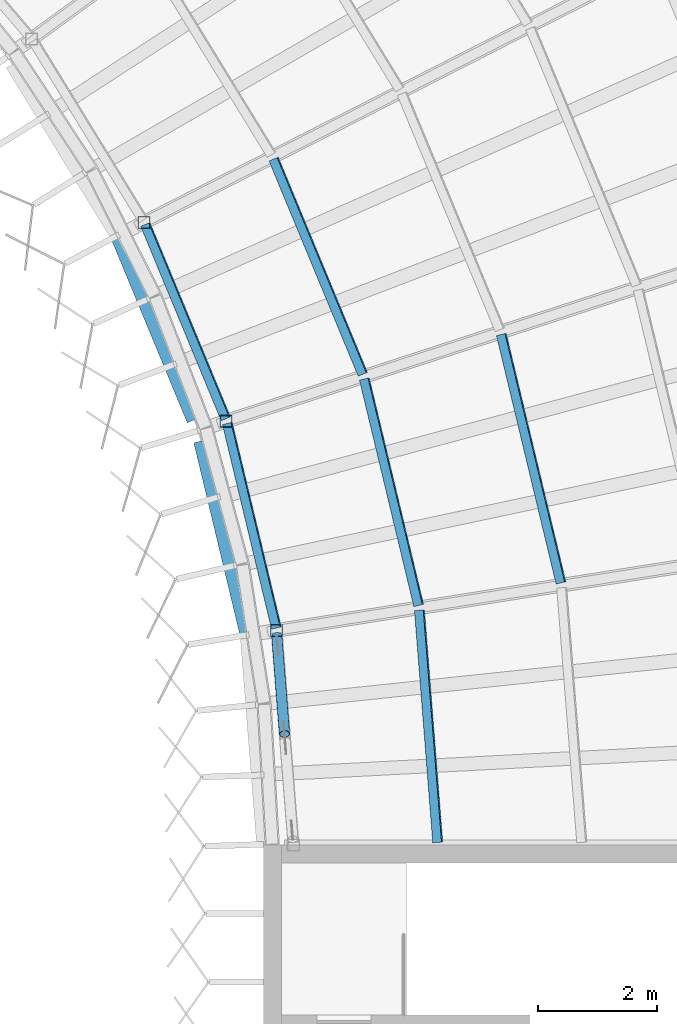
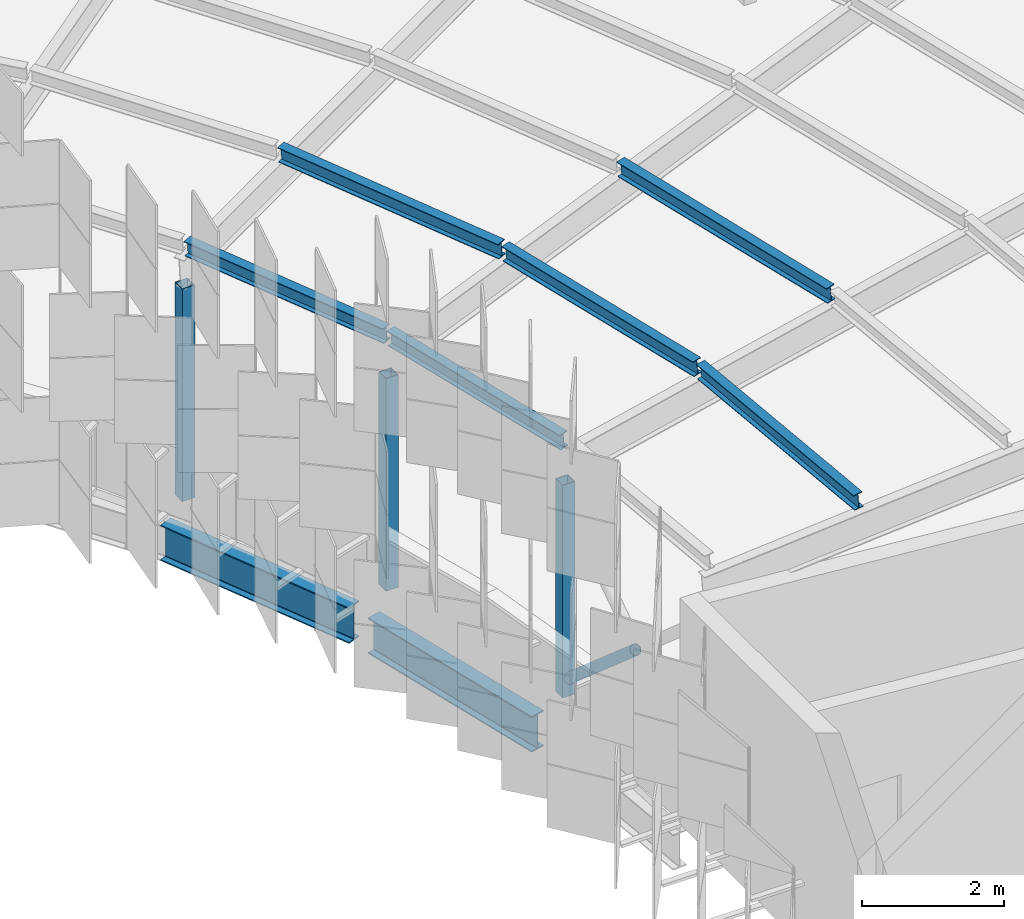
# One storey, part 78 of 483: 10 members, 2 beams.
"""IFC4 building model written with IfcOpenShell, lengths in metres."""

from ifc_helpers import new_model, si_unit, direction, frame, origin, origin_2d, place, context, subcontext, project, spatial, hollow_rectangle, hollow_circle, i_section, extrude, material, material_profile, profile_set, type_object, element, save


model = new_model("IFC4")

# Units and contexts
model_context = context("Model", 3, precision=1e-05, world=origin(), true_north=direction((0.0, 1.0)))
body_context = subcontext(model_context, "Body", "Model", "MODEL_VIEW")
ifc_project = project(units=[si_unit("LENGTHUNIT", "METRE"), si_unit("AREAUNIT", "SQUARE_METRE"), si_unit("VOLUMEUNIT", "CUBIC_METRE"), si_unit("PLANEANGLEUNIT", "RADIAN"), si_unit("MASSUNIT", "GRAM", prefix="KILO")], contexts=[model_context])

# Site, building, storey
site_placement = place(None, origin())
site = spatial("IfcSite", under=ifc_project, at=site_placement, CompositionType="ELEMENT")
building_placement = place(site_placement, origin())
building = spatial("IfcBuilding", under=site, at=building_placement, Name="Parallax Yard Mobility Hub", CompositionType="ELEMENT")
storey_placement = place(building_placement, frame((0.0, 0.0, 13.199951171875)))
storey = spatial("IfcBuildingStorey", under=building, at=storey_placement, Name="L04", CompositionType="ELEMENT", Elevation=13.199951171875)

# Members
ifc_material_1 = material(Name="Steel ASTM A500 Gr C", Category="steel")
ifc_material_profile_1 = material_profile(ifc_material_1, hollow_circle(Radius=0.0888671875, WallThickness=0.0078125, at=origin_2d()), Name="HSS177.8x7.9")
ifc_profile_set_1 = profile_set([ifc_material_profile_1], Name="Steel ASTM A500 Gr C")
member_type_1 = type_object("IfcMemberType", Name="Canopy brace HSS177.8x7.9", PredefinedType="BRACE", material=ifc_profile_set_1)
member_1_placement = place(storey_placement, frame((195.22412109375, 93.50390625, 0.300048828125), z_axis=(0.059150965905, -0.75058231312, 0.658124117826), x_axis=(0.996909136136, 0.078563186597, 0.0)))
element("IfcMember", 1, at=member_1_placement, inside=storey, type_object=member_type_1, Name="Canopy X brace RA bay R9-R10 diagonal A part 1", PredefinedType="BRACE", context=body_context, shape_type="SweptSolid", body=[
    extrude(hollow_circle(Radius=0.0888671875, WallThickness=0.0078125, at=origin_2d()), origin(), (0.0, 0.0, 1.0), 2.191650390625),
])
ifc_material_profile_2 = material_profile(ifc_material_1, hollow_rectangle(XDim=0.203125, YDim=0.203125, WallThickness=0.009521484375, at=origin_2d()), Name="HSS203x203x9.5")
ifc_profile_set_2 = profile_set([ifc_material_profile_2], Name="Steel ASTM A500 Gr C")
member_type_2 = type_object("IfcMemberType", Name="Canopy post HSS203x203x9.5", PredefinedType="POST", material=ifc_profile_set_2)
for number, where, z_axis, x_axis, name in (
    (2, (192.9931640625, 100.44189453125, 0.0), (0.0, 0.0, 1.0), (1.0, 0.0, 0.0), "Canopy post RA/R7"),
    (3, (194.374267578125, 97.107421875, 0.0), (0.0, 0.0, 1.0), (1.0, 0.0, 0.0), "Canopy post RA/R8"),
    (4, (195.216796875, 93.597900390625, 0.0), (0.0, 0.0, 1.0), (1.0, 0.0, 0.0), "Canopy post RA/R9"),
):
    element("IfcMember", number, at=place(storey_placement, frame(where, z_axis=z_axis, x_axis=x_axis)), inside=storey, type_object=member_type_2, Name=name, PredefinedType="POST", context=body_context, shape_type="SweptSolid", body=[
        extrude(hollow_rectangle(XDim=0.203125, YDim=0.203125, WallThickness=0.009521484375, at=origin_2d()), origin(), (0.0, 0.0, 1.0), 3.650146484375),
    ])
ifc_material_2 = material(Name="Steel ASTM A992", Category="steel")
ifc_material_profile_3 = material_profile(ifc_material_2, i_section(OverallWidth=0.14794921875, OverallDepth=0.26611328125, WebThickness=0.007568359375, FlangeThickness=0.012939453125, at=origin_2d()), Name="W250x45")
ifc_profile_set_3 = profile_set([ifc_material_profile_3], Name="Steel ASTM A992")
member_type_3 = type_object("IfcMemberType", Name="Canopy purlin W250x45", PredefinedType="PURLIN", material=ifc_profile_set_3)
member_2_placement = place(storey_placement, frame((193.018310546875, 100.408935546875, 4.302001953125), z_axis=(0.382693935351, -0.923875181962, 0.0), x_axis=(0.92091476568, 0.381467651347, 0.079990157691)))
element("IfcMember", 5, at=member_2_placement, inside=storey, type_object=member_type_3, Name="Canopy purlin sector R7-R8 line 1", PredefinedType="PURLIN", context=body_context, shape_type="SweptSolid", body=[
    extrude(i_section(OverallWidth=0.14794921875, OverallDepth=0.26611328125, WebThickness=0.007568359375, FlangeThickness=0.012939453125, at=origin_2d()), origin(), (0.0, 0.0, 1.0), 3.529052734375),
])
member_3_placement = place(storey_placement, frame((195.17138671875, 101.506103515625, 4.495361328125), z_axis=(0.382725094934, -0.923862274209, 0.0), x_axis=(0.920901899289, 0.381498711085, 0.079990157691)))
element("IfcMember", 6, at=member_3_placement, inside=storey, type_object=member_type_3, Name="Canopy purlin sector R7-R8 line 2", PredefinedType="PURLIN", context=body_context, shape_type="SweptSolid", body=[
    extrude(i_section(OverallWidth=0.14794921875, OverallDepth=0.26611328125, WebThickness=0.007568359375, FlangeThickness=0.012939453125, at=origin_2d()), origin(), (0.0, 0.0, 1.0), 3.908447265625),
])
member_4_placement = place(storey_placement, frame((194.39404296875, 97.071044921875, 4.302001953125), z_axis=(0.233409582586, -0.972378510024, 0.0), x_axis=(0.969262672269, 0.232661657387, 0.079990157691)))
element("IfcMember", 7, at=member_4_placement, inside=storey, type_object=member_type_3, Name="Canopy purlin sector R8-R9 line 1", PredefinedType="PURLIN", context=body_context, shape_type="SweptSolid", body=[
    extrude(i_section(OverallWidth=0.14794921875, OverallDepth=0.26611328125, WebThickness=0.007568359375, FlangeThickness=0.012939453125, at=origin_2d()), origin(), (0.0, 0.0, 1.0), 3.529052734375),
])
member_5_placement = place(storey_placement, frame((196.6923828125, 97.81787109375, 4.495361328125), z_axis=(0.233427289018, -0.972374259605, 0.0), x_axis=(0.969258435469, 0.232679307082, 0.079990157691)))
element("IfcMember", 8, at=member_5_placement, inside=storey, type_object=member_type_3, Name="Canopy purlin sector R8-R9 line 2", PredefinedType="PURLIN", context=body_context, shape_type="SweptSolid", body=[
    extrude(i_section(OverallWidth=0.14794921875, OverallDepth=0.26611328125, WebThickness=0.007568359375, FlangeThickness=0.012939453125, at=origin_2d()), origin(), (0.0, 0.0, 1.0), 3.908447265625),
])
member_6_placement = place(storey_placement, frame((198.99072265625, 98.564697265625, 4.688720703125), z_axis=(0.233454787023, -0.972367658047, 0.0), x_axis=(0.969251855065, 0.232706716974, 0.079990157691)))
element("IfcMember", 9, at=member_6_placement, inside=storey, type_object=member_type_3, Name="Canopy purlin sector R8-R9 line 3", PredefinedType="PURLIN", context=body_context, shape_type="SweptSolid", body=[
    extrude(i_section(OverallWidth=0.14794921875, OverallDepth=0.26611328125, WebThickness=0.007568359375, FlangeThickness=0.012939453125, at=origin_2d()), origin(), (0.0, 0.0, 1.0), 4.28759765625),
])
member_7_placement = place(storey_placement, frame((197.617431640625, 93.93701171875, 4.495361328125), z_axis=(0.078521144663, -0.996912448433, 0.0), x_axis=(0.993717995436, 0.078269535702, 0.079990157691)))
element("IfcMember", 10, at=member_7_placement, inside=storey, type_object=member_type_3, Name="Canopy purlin sector R9-R10 line 2", PredefinedType="PURLIN", context=body_context, shape_type="SweptSolid", body=[
    extrude(i_section(OverallWidth=0.14794921875, OverallDepth=0.26611328125, WebThickness=0.007568359375, FlangeThickness=0.012939453125, at=origin_2d()), origin(), (0.0, 0.0, 1.0), 3.908203125),
])

# Beams
ifc_material_profile_4 = material_profile(ifc_material_2, i_section(OverallWidth=0.22900390625, OverallDepth=0.612060546875, WebThickness=0.011962890625, FlangeThickness=0.01953125, FilletRadius=0.0126953125, at=origin_2d()), Name="W610x125")
ifc_profile_set_4 = profile_set([ifc_material_profile_4], Name="Steel ASTM A992")
beam_type = type_object("IfcBeamType", Name="W610x125 edge beam", PredefinedType="SPANDREL", material=ifc_profile_set_4)
for number, where, z_axis, x_axis, name in (
    (11, (192.547607421875, 100.21484375, -0.446044921875), (0.382680677364, -0.923880673665, 0.0), (0.923880673665, 0.382680677364, 0.0), "Edge beam SB7 level L04, ring RA of ramped parking decks, span 8"),
    (12, (193.9423828125, 96.77099609375, -0.446044921875), (0.23343646934, -0.972372055739, 0.0), (0.972372055739, 0.23343646934, 0.0), "Edge beam SB7 level L04, ring RA of ramped parking decks, span 9"),
):
    element("IfcBeam", number, at=place(storey_placement, frame(where, z_axis=z_axis, x_axis=x_axis)), inside=storey, type_object=beam_type, Name=name, PredefinedType="SPANDREL", context=body_context, shape_type="SweptSolid", body=[
        extrude(i_section(OverallWidth=0.22900390625, OverallDepth=0.612060546875, WebThickness=0.011962890625, FlangeThickness=0.01953125, FilletRadius=0.0126953125, at=origin_2d()), origin(), (0.0, 0.0, 1.0), 3.343505859375),
    ])

save(model, "model.ifc")
